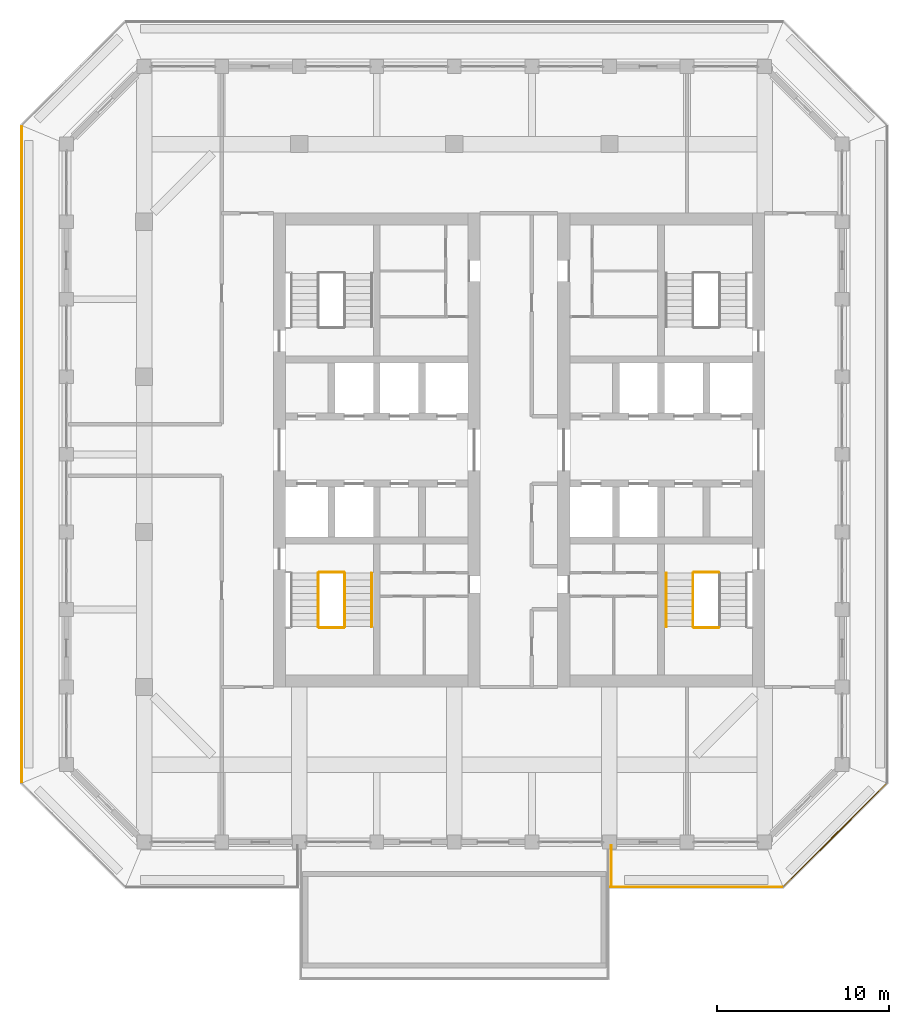
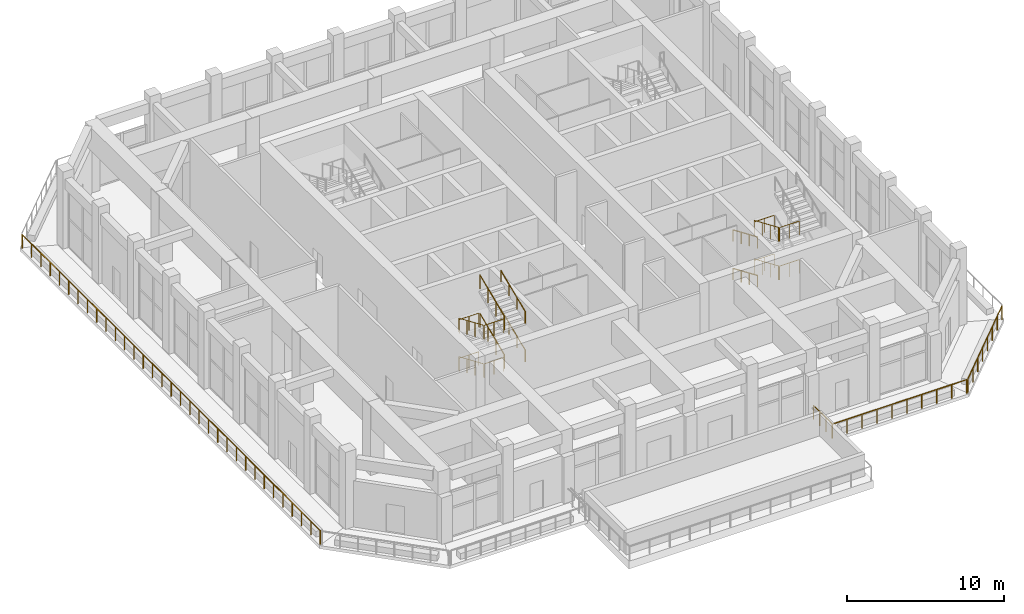
# One storey, part 15 of 20: 22 railings.
"""IFC4 building model written with IfcOpenShell, lengths in metres."""

from ifc_helpers import new_model, si_unit, direction, frame, origin, origin_2d, place, context, subcontext, project, spatial, circle, extrude, material, type_object, element, save


model = new_model("IFC4")

# Units and contexts
model_context = context("Model", 3, precision=1e-05, world=origin(), true_north=direction((0.0, 1.0)))
body_context = subcontext(model_context, "Body", "Model", "MODEL_VIEW")
ifc_project = project(units=[si_unit("LENGTHUNIT", "METRE"), si_unit("AREAUNIT", "SQUARE_METRE"), si_unit("VOLUMEUNIT", "CUBIC_METRE"), si_unit("PLANEANGLEUNIT", "RADIAN"), si_unit("MASSUNIT", "GRAM", prefix="KILO")], contexts=[model_context])

# Site, building, storey
site_placement = place(None, origin())
site = spatial("IfcSite", under=ifc_project, at=site_placement, CompositionType="ELEMENT")
building_placement = place(site_placement, origin())
building = spatial("IfcBuilding", under=site, at=building_placement, Name="Corbel Stack Research Tower", CompositionType="ELEMENT")
storey_placement = place(building_placement, frame((0.0, 0.0, 295.0)))
storey = spatial("IfcBuildingStorey", under=building, at=storey_placement, Name="L67", CompositionType="ELEMENT", Elevation=295.0)

# Railings
ifc_material_1 = material(Name="Steel S355", Category="steel")
railing_type_1 = type_object("IfcRailingType", Name="Stair guard 1100", PredefinedType="GUARDRAIL", material=ifc_material_1)
railing_1_placement = place(storey_placement, frame((-7.89990234375, -2.39990234375, 0.166748046875)))
element("IfcRailing", 1, at=railing_1_placement, inside=storey, type_object=railing_type_1, Name="L67 ST-W1 stair guard 1", PredefinedType="GUARDRAIL", context=body_context, shape_type="SweptSolid", body=[
    extrude(circle(Radius=0.02392578125, at=origin_2d()), frame((0.0, 0.0, 1.076171875), z_axis=(0.0, -0.918826996994, 0.394660549834), x_axis=(1.0, 0.0, 0.0)), (0.0, 0.0, 1.0), 3.378173828125),
    extrude(circle(Radius=0.02099609375, at=origin_2d()), origin(), (0.0, 0.0, 1.0), 1.052001953125),
    extrude(circle(Radius=0.02099609375, at=origin_2d()), frame((0.0, -1.03466796875, 0.4443359375)), (0.0, 0.0, 1.0), 1.052001953125),
    extrude(circle(Radius=0.02099609375, at=origin_2d()), frame((0.0, -2.0693359375, 0.888916015625)), (0.0, 0.0, 1.0), 1.052001953125),
    extrude(circle(Radius=0.02099609375, at=origin_2d()), frame((0.0, -3.10400390625, 1.333251953125)), (0.0, 0.0, 1.0), 1.052001953125),
])
railing_2_placement = place(storey_placement, frame((-7.85009765625, -5.553955078125, 1.5)))
element("IfcRailing", 2, at=railing_2_placement, inside=storey, type_object=railing_type_1, Name="L67 ST-W1 stair guard 2", PredefinedType="GUARDRAIL", context=body_context, shape_type="SweptSolid", body=[
    extrude(circle(Radius=0.02392578125, at=origin_2d()), frame((0.0, 0.0, 1.076171875), z_axis=(1.0, 0.0, 0.0), x_axis=(0.0, 1.0, 0.0)), (0.0, 0.0, 1.0), 1.4501953125),
    extrude(circle(Radius=0.02099609375, at=origin_2d()), origin(), (0.0, 0.0, 1.0), 1.052001953125),
    extrude(circle(Radius=0.02099609375, at=origin_2d()), frame((0.72509765625, 0.0, 0.0)), (0.0, 0.0, 1.0), 1.052001953125),
    extrude(circle(Radius=0.02099609375, at=origin_2d()), frame((1.4501953125, 0.0, 0.0)), (0.0, 0.0, 1.0), 1.052001953125),
])
railing_3_placement = place(storey_placement, frame((-6.35009765625, -5.50390625, 1.666748046875)))
element("IfcRailing", 3, at=railing_3_placement, inside=storey, type_object=railing_type_1, Name="L67 ST-W1 stair guard 4", PredefinedType="GUARDRAIL", context=body_context, shape_type="SweptSolid", body=[
    extrude(circle(Radius=0.02392578125, at=origin_2d()), frame((0.0, 0.0, 1.076171875), z_axis=(0.0, 0.918826996994, 0.394660549834), x_axis=(-1.0, 0.0, 0.0)), (0.0, 0.0, 1.0), 3.378173828125),
    extrude(circle(Radius=0.02099609375, at=origin_2d()), origin(), (0.0, 0.0, 1.0), 1.052001953125),
    extrude(circle(Radius=0.02099609375, at=origin_2d()), frame((0.0, 1.03466796875, 0.4443359375)), (0.0, 0.0, 1.0), 1.052001953125),
    extrude(circle(Radius=0.02099609375, at=origin_2d()), frame((0.0, 2.0693359375, 0.888916015625)), (0.0, 0.0, 1.0), 1.052001953125),
    extrude(circle(Radius=0.02099609375, at=origin_2d()), frame((0.0, 3.10400390625, 1.333251953125)), (0.0, 0.0, 1.0), 1.052001953125),
])
railing_4_placement = place(storey_placement, frame((-7.85009765625, -2.35009765625, 3.0)))
element("IfcRailing", 4, at=railing_4_placement, inside=storey, type_object=railing_type_1, Name="L67 ST-W1 stair guard 5", PredefinedType="GUARDRAIL", context=body_context, shape_type="SweptSolid", body=[
    extrude(circle(Radius=0.02392578125, at=origin_2d()), frame((0.0, 0.0, 1.076171875), z_axis=(1.0, 0.0, 0.0), x_axis=(0.0, 1.0, 0.0)), (0.0, 0.0, 1.0), 1.4501953125),
    extrude(circle(Radius=0.02099609375, at=origin_2d()), origin(), (0.0, 0.0, 1.0), 1.052001953125),
    extrude(circle(Radius=0.02099609375, at=origin_2d()), frame((0.72509765625, 0.0, 0.0)), (0.0, 0.0, 1.0), 1.052001953125),
    extrude(circle(Radius=0.02099609375, at=origin_2d()), frame((1.4501953125, 0.0, 0.0)), (0.0, 0.0, 1.0), 1.052001953125),
])
railing_5_placement = place(storey_placement, frame((-7.89990234375, -2.39990234375, 3.166748046875)))
element("IfcRailing", 5, at=railing_5_placement, inside=storey, type_object=railing_type_1, Name="L67 ST-W1 stair guard 7", PredefinedType="GUARDRAIL", context=body_context, shape_type="SweptSolid", body=[
    extrude(circle(Radius=0.02392578125, at=origin_2d()), frame((0.0, 0.0, 1.076171875), z_axis=(0.0, -0.918826996994, 0.394660549834), x_axis=(1.0, 0.0, 0.0)), (0.0, 0.0, 1.0), 3.378173828125),
    extrude(circle(Radius=0.02099609375, at=origin_2d()), origin(), (0.0, 0.0, 1.0), 1.052001953125),
    extrude(circle(Radius=0.02099609375, at=origin_2d()), frame((0.0, -1.03466796875, 0.4443359375)), (0.0, 0.0, 1.0), 1.052001953125),
    extrude(circle(Radius=0.02099609375, at=origin_2d()), frame((0.0, -2.0693359375, 0.888916015625)), (0.0, 0.0, 1.0), 1.052001953125),
    extrude(circle(Radius=0.02099609375, at=origin_2d()), frame((0.0, -3.10400390625, 1.333251953125)), (0.0, 0.0, 1.0), 1.052001953125),
])
railing_6_placement = place(storey_placement, frame((-7.85009765625, -5.553955078125, 4.5)))
element("IfcRailing", 6, at=railing_6_placement, inside=storey, type_object=railing_type_1, Name="L67 ST-W1 stair guard 8", PredefinedType="GUARDRAIL", context=body_context, shape_type="SweptSolid", body=[
    extrude(circle(Radius=0.02392578125, at=origin_2d()), frame((0.0, 0.0, 1.076171875), z_axis=(1.0, 0.0, 0.0), x_axis=(0.0, 1.0, 0.0)), (0.0, 0.0, 1.0), 1.4501953125),
    extrude(circle(Radius=0.02099609375, at=origin_2d()), origin(), (0.0, 0.0, 1.0), 1.052001953125),
    extrude(circle(Radius=0.02099609375, at=origin_2d()), frame((0.72509765625, 0.0, 0.0)), (0.0, 0.0, 1.0), 1.052001953125),
    extrude(circle(Radius=0.02099609375, at=origin_2d()), frame((1.4501953125, 0.0, 0.0)), (0.0, 0.0, 1.0), 1.052001953125),
])
railing_7_placement = place(storey_placement, frame((-6.35009765625, -5.50390625, 4.666748046875)))
element("IfcRailing", 7, at=railing_7_placement, inside=storey, type_object=railing_type_1, Name="L67 ST-W1 stair guard 10", PredefinedType="GUARDRAIL", context=body_context, shape_type="SweptSolid", body=[
    extrude(circle(Radius=0.02392578125, at=origin_2d()), frame((0.0, 0.0, 1.076171875), z_axis=(0.0, 0.918826996994, 0.394660549834), x_axis=(-1.0, 0.0, 0.0)), (0.0, 0.0, 1.0), 3.378173828125),
    extrude(circle(Radius=0.02099609375, at=origin_2d()), origin(), (0.0, 0.0, 1.0), 1.052001953125),
    extrude(circle(Radius=0.02099609375, at=origin_2d()), frame((0.0, 1.03466796875, 0.4443359375)), (0.0, 0.0, 1.0), 1.052001953125),
    extrude(circle(Radius=0.02099609375, at=origin_2d()), frame((0.0, 2.0693359375, 0.888916015625)), (0.0, 0.0, 1.0), 1.052001953125),
    extrude(circle(Radius=0.02099609375, at=origin_2d()), frame((0.0, 3.10400390625, 1.333251953125)), (0.0, 0.0, 1.0), 1.052001953125),
])
railing_8_placement = place(storey_placement, frame((-7.85009765625, -2.35009765625, 0.0)))
element("IfcRailing", 8, at=railing_8_placement, inside=storey, type_object=railing_type_1, Name="L67 ST-W1 stair guard 11", PredefinedType="GUARDRAIL", context=body_context, shape_type="SweptSolid", body=[
    extrude(circle(Radius=0.02392578125, at=origin_2d()), frame((0.0, 0.0, 1.076171875), z_axis=(1.0, 0.0, 0.0), x_axis=(0.0, 1.0, 0.0)), (0.0, 0.0, 1.0), 1.4501953125),
    extrude(circle(Radius=0.02099609375, at=origin_2d()), origin(), (0.0, 0.0, 1.0), 1.052001953125),
    extrude(circle(Radius=0.02099609375, at=origin_2d()), frame((0.72509765625, 0.0, 0.0)), (0.0, 0.0, 1.0), 1.052001953125),
    extrude(circle(Radius=0.02099609375, at=origin_2d()), frame((1.4501953125, 0.0, 0.0)), (0.0, 0.0, 1.0), 1.052001953125),
])
railing_9_placement = place(storey_placement, frame((13.85009765625, -2.39990234375, 0.166748046875)))
element("IfcRailing", 9, at=railing_9_placement, inside=storey, type_object=railing_type_1, Name="L67 ST-E1 stair guard 1", PredefinedType="GUARDRAIL", context=body_context, shape_type="SweptSolid", body=[
    extrude(circle(Radius=0.02392578125, at=origin_2d()), frame((0.0, 0.0, 1.076171875), z_axis=(0.0, -0.918826996994, 0.394660549834), x_axis=(1.0, 0.0, 0.0)), (0.0, 0.0, 1.0), 3.378173828125),
    extrude(circle(Radius=0.02099609375, at=origin_2d()), origin(), (0.0, 0.0, 1.0), 1.052001953125),
    extrude(circle(Radius=0.02099609375, at=origin_2d()), frame((0.0, -1.03466796875, 0.4443359375)), (0.0, 0.0, 1.0), 1.052001953125),
    extrude(circle(Radius=0.02099609375, at=origin_2d()), frame((0.0, -2.0693359375, 0.888916015625)), (0.0, 0.0, 1.0), 1.052001953125),
    extrude(circle(Radius=0.02099609375, at=origin_2d()), frame((0.0, -3.10400390625, 1.333251953125)), (0.0, 0.0, 1.0), 1.052001953125),
])
for number, where, name in (
    (10, (13.89990234375, -5.553955078125, 1.5), "L67 ST-E1 stair guard 2"),
    (11, (13.89990234375, -2.35009765625, 3.0), "L67 ST-E1 stair guard 5"),
):
    element("IfcRailing", number, at=place(storey_placement, frame(where)), inside=storey, type_object=railing_type_1, Name=name, PredefinedType="GUARDRAIL", context=body_context, shape_type="SweptSolid", body=[
        extrude(circle(Radius=0.02392578125, at=origin_2d()), frame((0.0, 0.0, 1.076171875), z_axis=(1.0, 0.0, 0.0), x_axis=(0.0, 1.0, 0.0)), (0.0, 0.0, 1.0), 1.4501953125),
        extrude(circle(Radius=0.02099609375, at=origin_2d()), origin(), (0.0, 0.0, 1.0), 1.052001953125),
        extrude(circle(Radius=0.02099609375, at=origin_2d()), frame((0.72509765625, 0.0, 0.0)), (0.0, 0.0, 1.0), 1.052001953125),
        extrude(circle(Radius=0.02099609375, at=origin_2d()), frame((1.4501953125, 0.0, 0.0)), (0.0, 0.0, 1.0), 1.052001953125),
    ])
railing_10_placement = place(storey_placement, frame((13.85009765625, -2.39990234375, 3.166748046875)))
element("IfcRailing", 12, at=railing_10_placement, inside=storey, type_object=railing_type_1, Name="L67 ST-E1 stair guard 7", PredefinedType="GUARDRAIL", context=body_context, shape_type="SweptSolid", body=[
    extrude(circle(Radius=0.02392578125, at=origin_2d()), frame((0.0, 0.0, 1.076171875), z_axis=(0.0, -0.918826996994, 0.394660549834), x_axis=(1.0, 0.0, 0.0)), (0.0, 0.0, 1.0), 3.378173828125),
    extrude(circle(Radius=0.02099609375, at=origin_2d()), origin(), (0.0, 0.0, 1.0), 1.052001953125),
    extrude(circle(Radius=0.02099609375, at=origin_2d()), frame((0.0, -1.03466796875, 0.4443359375)), (0.0, 0.0, 1.0), 1.052001953125),
    extrude(circle(Radius=0.02099609375, at=origin_2d()), frame((0.0, -2.0693359375, 0.888916015625)), (0.0, 0.0, 1.0), 1.052001953125),
    extrude(circle(Radius=0.02099609375, at=origin_2d()), frame((0.0, -3.10400390625, 1.333251953125)), (0.0, 0.0, 1.0), 1.052001953125),
])
for number, where, name in (
    (13, (13.89990234375, -5.553955078125, 4.5), "L67 ST-E1 stair guard 8"),
    (14, (13.89990234375, -2.35009765625, 0.0), "L67 ST-E1 stair guard 11"),
):
    element("IfcRailing", number, at=place(storey_placement, frame(where)), inside=storey, type_object=railing_type_1, Name=name, PredefinedType="GUARDRAIL", context=body_context, shape_type="SweptSolid", body=[
        extrude(circle(Radius=0.02392578125, at=origin_2d()), frame((0.0, 0.0, 1.076171875), z_axis=(1.0, 0.0, 0.0), x_axis=(0.0, 1.0, 0.0)), (0.0, 0.0, 1.0), 1.4501953125),
        extrude(circle(Radius=0.02099609375, at=origin_2d()), origin(), (0.0, 0.0, 1.0), 1.052001953125),
        extrude(circle(Radius=0.02099609375, at=origin_2d()), frame((0.72509765625, 0.0, 0.0)), (0.0, 0.0, 1.0), 1.052001953125),
        extrude(circle(Radius=0.02099609375, at=origin_2d()), frame((1.4501953125, 0.0, 0.0)), (0.0, 0.0, 1.0), 1.052001953125),
    ])
ifc_material_2 = material(Name="Steel S355", Category="steel")
railing_type_2 = type_object("IfcRailingType", Name="Stair handrail 900", PredefinedType="HANDRAIL", material=ifc_material_2)
for number, where, name in (
    (15, (-4.800048828125, -5.50390625, 1.666748046875), "L67 ST-W1 stair handrail 2"),
    (16, (-4.800048828125, -5.50390625, 4.666748046875), "L67 ST-W1 stair handrail 4"),
):
    element("IfcRailing", number, at=place(storey_placement, frame(where)), inside=storey, type_object=railing_type_2, Name=name, PredefinedType="HANDRAIL", context=body_context, shape_type="SweptSolid", body=[
        extrude(circle(Radius=0.02392578125, at=origin_2d()), frame((0.0, 0.0, 0.8759765625), z_axis=(0.0, 0.918826996994, 0.394660549834), x_axis=(-1.0, 0.0, 0.0)), (0.0, 0.0, 1.0), 3.378173828125),
        extrude(circle(Radius=0.02099609375, at=origin_2d()), origin(), (0.0, 0.0, 1.0), 0.851806640625),
        extrude(circle(Radius=0.02099609375, at=origin_2d()), frame((0.0, 1.03466796875, 0.4443359375)), (0.0, 0.0, 1.0), 0.851806640625),
        extrude(circle(Radius=0.02099609375, at=origin_2d()), frame((0.0, 2.0693359375, 0.888916015625)), (0.0, 0.0, 1.0), 0.851806640625),
        extrude(circle(Radius=0.02099609375, at=origin_2d()), frame((0.0, 3.10400390625, 1.333251953125)), (0.0, 0.0, 1.0), 0.851806640625),
    ])
for number, where, name in (
    (17, (12.300048828125, -2.39990234375, 0.166748046875), "L67 ST-E1 stair handrail 1"),
    (18, (12.300048828125, -2.39990234375, 3.166748046875), "L67 ST-E1 stair handrail 3"),
):
    element("IfcRailing", number, at=place(storey_placement, frame(where)), inside=storey, type_object=railing_type_2, Name=name, PredefinedType="HANDRAIL", context=body_context, shape_type="SweptSolid", body=[
        extrude(circle(Radius=0.02392578125, at=origin_2d()), frame((0.0, 0.0, 0.8759765625), z_axis=(0.0, -0.918826996994, 0.394660549834), x_axis=(1.0, 0.0, 0.0)), (0.0, 0.0, 1.0), 3.378173828125),
        extrude(circle(Radius=0.02099609375, at=origin_2d()), origin(), (0.0, 0.0, 1.0), 0.851806640625),
        extrude(circle(Radius=0.02099609375, at=origin_2d()), frame((0.0, -1.03466796875, 0.4443359375)), (0.0, 0.0, 1.0), 0.851806640625),
        extrude(circle(Radius=0.02099609375, at=origin_2d()), frame((0.0, -2.0693359375, 0.888916015625)), (0.0, 0.0, 1.0), 0.851806640625),
        extrude(circle(Radius=0.02099609375, at=origin_2d()), frame((0.0, -3.10400390625, 1.333251953125)), (0.0, 0.0, 1.0), 0.851806640625),
    ])
ifc_material_3 = material(Name="Powder-coated steel guard", Category="steel")
railing_type_3 = type_object("IfcRailingType", Name="Steel and glass guard 1100", PredefinedType="GUARDRAIL", material=ifc_material_3)
railing_11_placement = place(storey_placement, frame((9.070068359375, -20.60009765625, 0.0)))
element("IfcRailing", 19, at=railing_11_placement, inside=storey, type_object=railing_type_3, Name="Loggia guard L67 S", PredefinedType="GUARDRAIL", context=body_context, shape_type="SweptSolid", body=[
    extrude(circle(Radius=0.02392578125, at=origin_2d()), frame((0.0, 0.0, 1.076171875), z_axis=(1.0, 0.0, 0.0), x_axis=(0.0, 1.0, 0.0)), (0.0, 0.0, 1.0), 9.935302734375),
    extrude(circle(Radius=0.02099609375, at=origin_2d()), origin(), (0.0, 0.0, 1.0), 1.052001953125),
    extrude(circle(Radius=0.02099609375, at=origin_2d()), frame((1.10400390625, 0.0, 0.0)), (0.0, 0.0, 1.0), 1.052001953125),
    extrude(circle(Radius=0.02099609375, at=origin_2d()), frame((2.207763671875, 0.0, 0.0)), (0.0, 0.0, 1.0), 1.052001953125),
    extrude(circle(Radius=0.02099609375, at=origin_2d()), frame((3.311767578125, 0.0, 0.0)), (0.0, 0.0, 1.0), 1.052001953125),
    extrude(circle(Radius=0.02099609375, at=origin_2d()), frame((4.415771484375, 0.0, 0.0)), (0.0, 0.0, 1.0), 1.052001953125),
    extrude(circle(Radius=0.02099609375, at=origin_2d()), frame((5.51953125, 0.0, 0.0)), (0.0, 0.0, 1.0), 1.052001953125),
    extrude(circle(Radius=0.02099609375, at=origin_2d()), frame((6.62353515625, 0.0, 0.0)), (0.0, 0.0, 1.0), 1.052001953125),
    extrude(circle(Radius=0.02099609375, at=origin_2d()), frame((7.7275390625, 0.0, 0.0)), (0.0, 0.0, 1.0), 1.052001953125),
    extrude(circle(Radius=0.02099609375, at=origin_2d()), frame((8.831298828125, 0.0, 0.0)), (0.0, 0.0, 1.0), 1.052001953125),
    extrude(circle(Radius=0.02099609375, at=origin_2d()), frame((9.935302734375, 0.0, 0.0)), (0.0, 0.0, 1.0), 1.052001953125),
])
railing_12_placement = place(storey_placement, frame((9.10009765625, -18.199951171875, 0.0)))
element("IfcRailing", 20, at=railing_12_placement, inside=storey, type_object=railing_type_3, Name="Loggia guard L67 pool side", PredefinedType="GUARDRAIL", context=body_context, shape_type="SweptSolid", body=[
    extrude(circle(Radius=0.02392578125, at=origin_2d()), frame((0.0, 0.0, 1.076171875), z_axis=(0.0, -1.0, 0.0), x_axis=(1.0, 0.0, 0.0)), (0.0, 0.0, 1.0), 2.400146484375),
    extrude(circle(Radius=0.02099609375, at=origin_2d()), origin(), (0.0, 0.0, 1.0), 1.052001953125),
    extrude(circle(Radius=0.02099609375, at=origin_2d()), frame((0.0, -0.800048828125, 0.0)), (0.0, 0.0, 1.0), 1.052001953125),
    extrude(circle(Radius=0.02099609375, at=origin_2d()), frame((0.0, -1.60009765625, 0.0)), (0.0, 0.0, 1.0), 1.052001953125),
    extrude(circle(Radius=0.02099609375, at=origin_2d()), frame((0.0, -2.400146484375, 0.0)), (0.0, 0.0, 1.0), 1.052001953125),
])
railing_13_placement = place(storey_placement, frame((19.127685546875, -20.54931640625, 0.0)))
element("IfcRailing", 21, at=railing_13_placement, inside=storey, type_object=railing_type_3, Name="Loggia guard L67 SE", PredefinedType="GUARDRAIL", context=body_context, shape_type="SweptSolid", body=[
    extrude(circle(Radius=0.02392578125, at=origin_2d()), frame((0.0, 0.0, 1.076171875), z_axis=(0.707106781187, 0.707106781187, 0.0), x_axis=(-0.707106781187, 0.707106781187, 0.0)), (0.0, 0.0, 1.0), 8.37451171875),
    extrude(circle(Radius=0.02099609375, at=origin_2d()), origin(), (0.0, 0.0, 1.0), 1.052001953125),
    extrude(circle(Radius=0.02099609375, at=origin_2d()), frame((0.845947265625, 0.845947265625, 0.0)), (0.0, 0.0, 1.0), 1.052001953125),
    extrude(circle(Radius=0.02099609375, at=origin_2d()), frame((1.69189453125, 1.69189453125, 0.0)), (0.0, 0.0, 1.0), 1.052001953125),
    extrude(circle(Radius=0.02099609375, at=origin_2d()), frame((2.537841796875, 2.537841796875, 0.0)), (0.0, 0.0, 1.0), 1.052001953125),
    extrude(circle(Radius=0.02099609375, at=origin_2d()), frame((3.3837890625, 3.3837890625, 0.0)), (0.0, 0.0, 1.0), 1.052001953125),
    extrude(circle(Radius=0.02099609375, at=origin_2d()), frame((4.229736328125, 4.229736328125, 0.0)), (0.0, 0.0, 1.0), 1.052001953125),
    extrude(circle(Radius=0.02099609375, at=origin_2d()), frame((5.07568359375, 5.07568359375, 0.0)), (0.0, 0.0, 1.0), 1.052001953125),
    extrude(circle(Radius=0.02099609375, at=origin_2d()), frame((5.921630859375, 5.921630859375, 0.0)), (0.0, 0.0, 1.0), 1.052001953125),
])
railing_14_placement = place(storey_placement, frame((-25.10009765625, 23.50537109375, 0.0)))
element("IfcRailing", 22, at=railing_14_placement, inside=storey, type_object=railing_type_3, Name="Loggia guard L67 W", PredefinedType="GUARDRAIL", context=body_context, shape_type="SweptSolid", body=[
    extrude(circle(Radius=0.02392578125, at=origin_2d()), frame((0.0, 0.0, 1.076171875), z_axis=(0.0, -1.0, 0.0), x_axis=(1.0, 0.0, 0.0)), (0.0, 0.0, 1.0), 38.0107421875),
    extrude(circle(Radius=0.02099609375, at=origin_2d()), origin(), (0.0, 0.0, 1.0), 1.052001953125),
    extrude(circle(Radius=0.02099609375, at=origin_2d()), frame((0.0, -1.187744140625, 0.0)), (0.0, 0.0, 1.0), 1.052001953125),
    extrude(circle(Radius=0.02099609375, at=origin_2d()), frame((0.0, -2.375732421875, 0.0)), (0.0, 0.0, 1.0), 1.052001953125),
    extrude(circle(Radius=0.02099609375, at=origin_2d()), frame((0.0, -3.5634765625, 0.0)), (0.0, 0.0, 1.0), 1.052001953125),
    extrude(circle(Radius=0.02099609375, at=origin_2d()), frame((0.0, -4.75146484375, 0.0)), (0.0, 0.0, 1.0), 1.052001953125),
    extrude(circle(Radius=0.02099609375, at=origin_2d()), frame((0.0, -5.939208984375, 0.0)), (0.0, 0.0, 1.0), 1.052001953125),
    extrude(circle(Radius=0.02099609375, at=origin_2d()), frame((0.0, -7.126953125, 0.0)), (0.0, 0.0, 1.0), 1.052001953125),
    extrude(circle(Radius=0.02099609375, at=origin_2d()), frame((0.0, -8.31494140625, 0.0)), (0.0, 0.0, 1.0), 1.052001953125),
    extrude(circle(Radius=0.02099609375, at=origin_2d()), frame((0.0, -9.502685546875, 0.0)), (0.0, 0.0, 1.0), 1.052001953125),
    extrude(circle(Radius=0.02099609375, at=origin_2d()), frame((0.0, -10.6904296875, 0.0)), (0.0, 0.0, 1.0), 1.052001953125),
    extrude(circle(Radius=0.02099609375, at=origin_2d()), frame((0.0, -11.87841796875, 0.0)), (0.0, 0.0, 1.0), 1.052001953125),
    extrude(circle(Radius=0.02099609375, at=origin_2d()), frame((0.0, -13.066162109375, 0.0)), (0.0, 0.0, 1.0), 1.052001953125),
    extrude(circle(Radius=0.02099609375, at=origin_2d()), frame((0.0, -14.25390625, 0.0)), (0.0, 0.0, 1.0), 1.052001953125),
    extrude(circle(Radius=0.02099609375, at=origin_2d()), frame((0.0, -15.44189453125, 0.0)), (0.0, 0.0, 1.0), 1.052001953125),
    extrude(circle(Radius=0.02099609375, at=origin_2d()), frame((0.0, -16.629638671875, 0.0)), (0.0, 0.0, 1.0), 1.052001953125),
    extrude(circle(Radius=0.02099609375, at=origin_2d()), frame((0.0, -17.817626953125, 0.0)), (0.0, 0.0, 1.0), 1.052001953125),
    extrude(circle(Radius=0.02099609375, at=origin_2d()), frame((0.0, -19.00537109375, 0.0)), (0.0, 0.0, 1.0), 1.052001953125),
    extrude(circle(Radius=0.02099609375, at=origin_2d()), frame((0.0, -20.193115234375, 0.0)), (0.0, 0.0, 1.0), 1.052001953125),
    extrude(circle(Radius=0.02099609375, at=origin_2d()), frame((0.0, -21.381103515625, 0.0)), (0.0, 0.0, 1.0), 1.052001953125),
    extrude(circle(Radius=0.02099609375, at=origin_2d()), frame((0.0, -22.56884765625, 0.0)), (0.0, 0.0, 1.0), 1.052001953125),
    extrude(circle(Radius=0.02099609375, at=origin_2d()), frame((0.0, -23.7568359375, 0.0)), (0.0, 0.0, 1.0), 1.052001953125),
    extrude(circle(Radius=0.02099609375, at=origin_2d()), frame((0.0, -24.944580078125, 0.0)), (0.0, 0.0, 1.0), 1.052001953125),
    extrude(circle(Radius=0.02099609375, at=origin_2d()), frame((0.0, -26.13232421875, 0.0)), (0.0, 0.0, 1.0), 1.052001953125),
    extrude(circle(Radius=0.02099609375, at=origin_2d()), frame((0.0, -27.3203125, 0.0)), (0.0, 0.0, 1.0), 1.052001953125),
    extrude(circle(Radius=0.02099609375, at=origin_2d()), frame((0.0, -28.508056640625, 0.0)), (0.0, 0.0, 1.0), 1.052001953125),
    extrude(circle(Radius=0.02099609375, at=origin_2d()), frame((0.0, -29.69580078125, 0.0)), (0.0, 0.0, 1.0), 1.052001953125),
    extrude(circle(Radius=0.02099609375, at=origin_2d()), frame((0.0, -30.8837890625, 0.0)), (0.0, 0.0, 1.0), 1.052001953125),
    extrude(circle(Radius=0.02099609375, at=origin_2d()), frame((0.0, -32.071533203125, 0.0)), (0.0, 0.0, 1.0), 1.052001953125),
    extrude(circle(Radius=0.02099609375, at=origin_2d()), frame((0.0, -33.25927734375, 0.0)), (0.0, 0.0, 1.0), 1.052001953125),
    extrude(circle(Radius=0.02099609375, at=origin_2d()), frame((0.0, -34.447265625, 0.0)), (0.0, 0.0, 1.0), 1.052001953125),
    extrude(circle(Radius=0.02099609375, at=origin_2d()), frame((0.0, -35.635009765625, 0.0)), (0.0, 0.0, 1.0), 1.052001953125),
    extrude(circle(Radius=0.02099609375, at=origin_2d()), frame((0.0, -36.822998046875, 0.0)), (0.0, 0.0, 1.0), 1.052001953125),
    extrude(circle(Radius=0.02099609375, at=origin_2d()), frame((0.0, -38.0107421875, 0.0)), (0.0, 0.0, 1.0), 1.052001953125),
])

save(model, "model.ifc")
